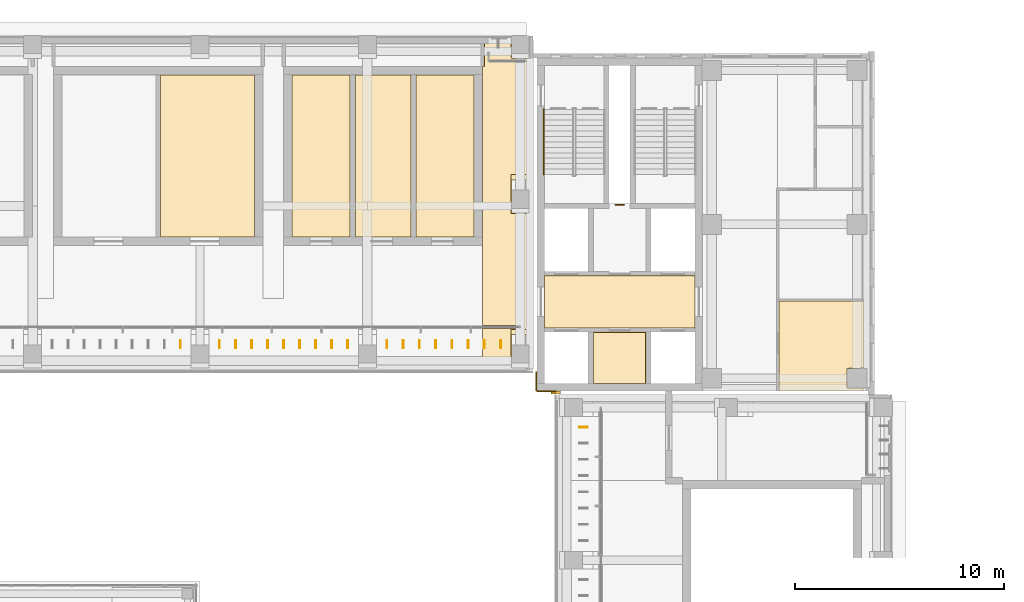
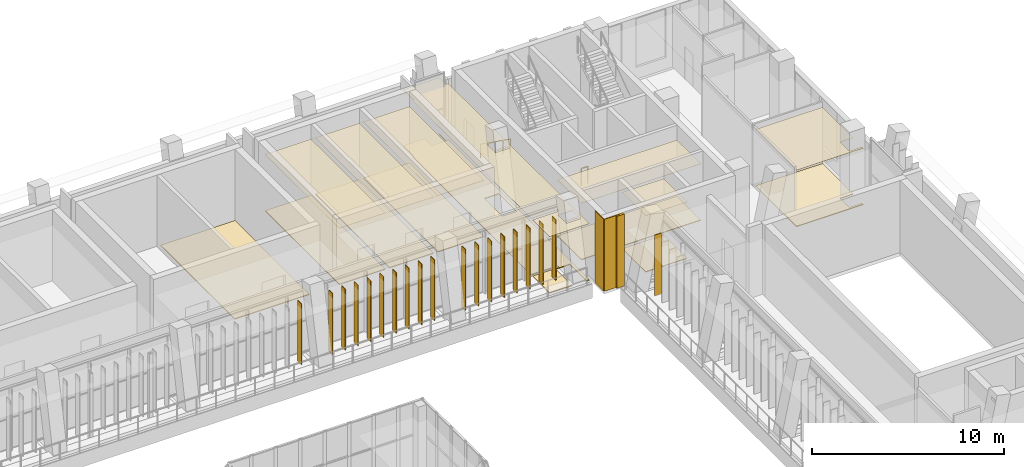
# One storey, part 91 of 92: 19 shading devices, 18 coverings, 2 railings.
"""IFC4 building model written with IfcOpenShell, lengths in metres."""

import ifcopenshell
import ifcopenshell.guid

model = None  # the IFC model being written
_history = None  # IfcOwnerHistory: only IFC2X3 demands one
_inside = {}  # id of a spatial element -> (the spatial element, [elements in it])
_under = {}  # id of a project, library or spatial element -> (it, [spatial elements below it])
_declared = {}  # id of a project -> (the project, [libraries it declares])
_typed = {}  # id of a type object -> (the type object, [elements of that type])
_made_of = {}  # id of a material, layer set ... -> (it, [elements and type objects made of it])


def new_model(schema):
    """Start an empty IFC model of exactly this schema.

    Asked for "IFC4X3", IfcOpenShell would pick the latest addendum, in which some entities
    have other attributes; the version numbers below select the first issue.
    IFC2X3 requires an IfcOwnerHistory on every rooted entity: one is made here for all.
    """
    global model, _history
    if schema == "IFC4X3":
        model = ifcopenshell.file(schema_version=(4, 3, 0, 0))
    else:
        model = ifcopenshell.file(schema=schema)
    _inside.clear()
    _under.clear()
    _declared.clear()
    _typed.clear()
    _made_of.clear()
    _history = None
    if model.schema == "IFC2X3":
        org = make("IfcOrganization", Name="unknown")
        user = make(
            "IfcPersonAndOrganization",
            ThePerson=make("IfcPerson", FamilyName="unknown"),
            TheOrganization=org,
        )
        app = make(
            "IfcApplication",
            ApplicationDeveloper=org,
            Version="unknown",
            ApplicationFullName="unknown",
            ApplicationIdentifier="unknown",
        )
        _history = make(
            "IfcOwnerHistory",
            OwningUser=user,
            OwningApplication=app,
            ChangeAction="ADDED",
            CreationDate=0,
        )
    return model


def make(cls, **values):
    """One entity of the class cls with the attributes given. An attribute that is None is left unset."""
    return model.create_entity(
        cls, **{name: value for name, value in values.items() if value is not None}
    )


def rooted(cls, **values):
    """An entity with a GlobalId (a new one), such as an element, a storey or a relation."""
    return make(cls, GlobalId=ifcopenshell.guid.new(), OwnerHistory=_history, **values)


def si_unit(unit_type, name, prefix=None):
    """IfcSIUnit, for example si_unit("LENGTHUNIT", "METRE", prefix="MILLI")."""
    return make("IfcSIUnit", UnitType=unit_type, Prefix=prefix, Name=name)


def assignment(units):
    """IfcUnitAssignment: the units of a project."""
    return None if units is None else make("IfcUnitAssignment", Units=units)


def point(xyz):
    """IfcCartesianPoint."""
    return None if xyz is None else make("IfcCartesianPoint", Coordinates=xyz)


def direction(xyz):
    """IfcDirection."""
    return None if xyz is None else make("IfcDirection", DirectionRatios=xyz)


def frame(location, z_axis=None, x_axis=None):
    """IfcAxis2Placement3D, a coordinate frame: its origin and axes. An axis left out is left unset."""
    return make(
        "IfcAxis2Placement3D",
        Location=point(location),
        Axis=direction(z_axis),
        RefDirection=direction(x_axis),
    )


def frame_2d(location, x_axis=None):
    """IfcAxis2Placement2D, a coordinate frame in the plane: its origin and x axis."""
    return make(
        "IfcAxis2Placement2D", Location=point(location), RefDirection=direction(x_axis)
    )


def origin():
    """The frame at (0, 0, 0) with its axes left unset."""
    return frame((0.0, 0.0, 0.0))


def origin_2d():
    """The frame at (0, 0) in the plane with its x axis left unset."""
    return frame_2d((0.0, 0.0))


def place(relative_to, where):
    """IfcLocalPlacement: puts the frame where relative to a parent placement (None: the world)."""
    return make(
        "IfcLocalPlacement", PlacementRelTo=relative_to, RelativePlacement=where
    )


def context(
    kind, dimensions, precision=None, world=None, true_north=None, identifier=None
):
    """IfcGeometricRepresentationContext, for example the 3D "Model" context."""
    return make(
        "IfcGeometricRepresentationContext",
        ContextIdentifier=identifier,
        ContextType=kind,
        CoordinateSpaceDimension=dimensions,
        Precision=precision,
        WorldCoordinateSystem=world,
        TrueNorth=true_north,
    )


def subcontext(parent, identifier, kind, view, scale=None):
    """IfcGeometricRepresentationSubContext, for example "Body" below "Model"."""
    return make(
        "IfcGeometricRepresentationSubContext",
        ContextIdentifier=identifier,
        ContextType=kind,
        ParentContext=parent,
        TargetScale=scale,
        TargetView=view,
    )


def project(units=None, contexts=None):
    """IfcProject with its units and contexts."""
    return rooted(
        "IfcProject",
        Name="project",
        RepresentationContexts=contexts,
        UnitsInContext=assignment(units),
    )


def spatial(cls, under=None, at=None, **own):
    """A site, building, storey or space (cls), placed at a placement, below another one or the project."""
    s = rooted(cls, ObjectPlacement=at, **own)
    if under is not None:
        _under.setdefault(under.id(), (under, []))[1].append(s)
    return s


def polyline(points):
    """IfcPolyline through the points."""
    return make("IfcPolyline", Points=[point(p) for p in points])


def profile(cls, at=None, kind="AREA", **sizes):
    """A parametric profile (cls). Its sizes go by their IFC names, for example OverallWidth=200.0."""
    return make(cls, ProfileType=kind, Position=at, **sizes)


def rectangle(**sizes):
    """IfcRectangleProfileDef."""
    return profile("IfcRectangleProfileDef", **sizes)


def circle(**sizes):
    """IfcCircleProfileDef."""
    return profile("IfcCircleProfileDef", **sizes)


def outline(outer, holes=None, kind="AREA"):
    """IfcArbitraryClosedProfileDef: a profile drawn as a closed curve; with holes, ...WithVoids."""
    if holes is None:
        return make("IfcArbitraryClosedProfileDef", ProfileType=kind, OuterCurve=outer)
    return make(
        "IfcArbitraryProfileDefWithVoids",
        ProfileType=kind,
        OuterCurve=outer,
        InnerCurves=holes,
    )


def extrude(swept, where, along, depth):
    """IfcExtrudedAreaSolid: the profile swept, set in the frame where, extruded along a direction by depth."""
    return make(
        "IfcExtrudedAreaSolid",
        SweptArea=swept,
        Position=where,
        ExtrudedDirection=direction(along),
        Depth=depth,
    )


def shape(context_of_items, identifier, shape_type, items):
    """IfcShapeRepresentation: the items that make up one representation, for example the "Body"."""
    return make(
        "IfcShapeRepresentation",
        ContextOfItems=context_of_items,
        RepresentationIdentifier=identifier,
        RepresentationType=shape_type,
        Items=items,
    )


def material(Name=None, Category=None):
    """IfcMaterial."""
    return make("IfcMaterial", Name=Name, Category=Category)


def layer(
    of_material, thickness, ventilated=None, Name=None, Category=None, Priority=None
):
    """IfcMaterialLayer: one layer of a wall or slab, of a material (None: an air gap)."""
    return make(
        "IfcMaterialLayer",
        Material=of_material,
        LayerThickness=thickness,
        IsVentilated=ventilated,
        Name=Name,
        Category=Category,
        Priority=Priority,
    )


def layer_set(layers, Name=None):
    """IfcMaterialLayerSet."""
    return make("IfcMaterialLayerSet", MaterialLayers=layers, LayerSetName=Name)


def made_of(thing, what):
    """Note that an element or type object is made of a material, layer set ...; save() writes the relation."""
    if what is not None:
        _made_of.setdefault(what.id(), (what, []))[1].append(thing)
    return thing


def type_object(cls, material=None, **own):
    """A type object (cls), such as IfcWallType, which elements share."""
    return made_of(rooted(cls, **own), material)


def element(
    cls,
    number,
    at=None,
    inside=None,
    cuts=None,
    type_object=None,
    material=None,
    context=None,
    identifier="Body",
    shape_type=None,
    held_by="IfcProductDefinitionShape",
    body=None,
    shapes=None,
    **own,
):
    """One element of the class cls, such as IfcWall. Its Tag is "e" and its number.

    at: its placement. inside: the storey or other place that contains it. cuts: it is an
    opening in that element (IfcRelVoidsElement). A single representation is given by context,
    identifier, shape_type and body (its items); several are given by shapes. held_by: the class
    of the entity that holds the representations. save() writes the other relations.
    """
    e = rooted(cls, Tag="e%d" % number, ObjectPlacement=at, **own)
    if body is not None:
        shapes = [shape(context, identifier, shape_type, body)]
    if shapes is not None:
        e.Representation = make(held_by, Representations=shapes)
    if inside is not None:
        _inside.setdefault(inside.id(), (inside, []))[1].append(e)
    if cuts is not None:
        rooted(
            "IfcRelVoidsElement", RelatingBuildingElement=cuts, RelatedOpeningElement=e
        )
    if type_object is not None:
        _typed.setdefault(type_object.id(), (type_object, []))[1].append(e)
    return made_of(e, material)


def aggregate(whole, parts):
    """IfcRelAggregates: a whole, such as a stair, and the parts it consists of."""
    return rooted("IfcRelAggregates", RelatingObject=whole, RelatedObjects=parts)


def save(model, path):
    """Write the relations noted so far, then the file.

    IfcRelAggregates (storeys below a building ...), IfcRelContainedInSpatialStructure (elements
    in a storey), IfcRelDefinesByType, IfcRelAssociatesMaterial and IfcRelDeclares: one each for
    every whole, place, type object, material and project.
    """
    for whole, parts in _under.values():
        aggregate(whole, parts)
    for where, things in _inside.values():
        rooted(
            "IfcRelContainedInSpatialStructure",
            RelatedElements=things,
            RelatingStructure=where,
        )
    for kind, things in _typed.values():
        rooted("IfcRelDefinesByType", RelatedObjects=things, RelatingType=kind)
    for what, things in _made_of.values():
        rooted("IfcRelAssociatesMaterial", RelatedObjects=things, RelatingMaterial=what)
    for by, libraries in _declared.values():
        rooted("IfcRelDeclares", RelatingContext=by, RelatedDefinitions=libraries)
    model.write(path)


model = new_model("IFC4")

# Units and contexts
model_context = context("Model", 3, precision=1e-05, world=origin(), true_north=direction((0.0, 1.0)))
body_context = subcontext(model_context, "Body", "Model", "MODEL_VIEW")
ifc_project = project(units=[si_unit("LENGTHUNIT", "METRE"), si_unit("AREAUNIT", "SQUARE_METRE"), si_unit("VOLUMEUNIT", "CUBIC_METRE"), si_unit("PLANEANGLEUNIT", "RADIAN"), si_unit("MASSUNIT", "GRAM", prefix="KILO")], contexts=[model_context])

# Site, building, storey
site_placement = place(None, origin())
site = spatial("IfcSite", under=ifc_project, at=site_placement, CompositionType="ELEMENT")
building_placement = place(site_placement, origin())
building = spatial("IfcBuilding", under=site, at=building_placement, Name="Lantern Court Media Centre", CompositionType="ELEMENT")
storey_placement = place(building_placement, frame((0.0, 0.0, 4.800048828125)))
storey = spatial("IfcBuildingStorey", under=building, at=storey_placement, Name="L01", CompositionType="ELEMENT", Elevation=4.800048828125)

# Coverings
ifc_material_1 = material(Name="Carpet")
ifc_layer_1 = layer(ifc_material_1, 0.050048828125)
ifc_layer_set_1 = layer_set([ifc_layer_1], Name="Carpet")
covering_type_1 = type_object("IfcCoveringType", Name="Carpet floor finish", PredefinedType="FLOORING", material=ifc_layer_set_1)
covering_1_placement = place(storey_placement, origin())
element("IfcCovering", 1, at=covering_1_placement, inside=storey, type_object=covering_type_1, Name="Render Room 02 floor finish", PredefinedType="FLOORING", context=body_context, shape_type="SweptSolid", body=[
    extrude(outline(polyline([(62.114990234375, 111.195068359375), (66.594970703125, 111.195068359375), (66.594970703125, 103.455078125), (62.114990234375, 103.455078125), (62.114990234375, 111.195068359375)])), origin(), (0.0, 0.0, 1.0), 0.050048828125),
])
covering_2_placement = place(storey_placement, origin())
element("IfcCovering", 2, at=covering_2_placement, inside=storey, type_object=covering_type_1, Name="Editing Suite 05 floor finish", PredefinedType="FLOORING", context=body_context, shape_type="SweptSolid", body=[
    extrude(outline(polyline([(68.405029296875, 103.455078125), (68.405029296875, 111.195068359375), (71.169921875, 111.195068359375), (71.169921875, 103.455078125), (68.405029296875, 103.455078125)])), origin(), (0.0, 0.0, 1.0), 0.050048828125),
])
covering_3_placement = place(storey_placement, origin())
element("IfcCovering", 3, at=covering_3_placement, inside=storey, type_object=covering_type_1, Name="Editing Suite 06 floor finish", PredefinedType="FLOORING", context=body_context, shape_type="SweptSolid", body=[
    extrude(outline(polyline([(71.429931640625, 111.195068359375), (74.070068359375, 111.195068359375), (74.070068359375, 103.455078125), (71.429931640625, 103.455078125), (71.429931640625, 111.195068359375)])), origin(), (0.0, 0.0, 1.0), 0.050048828125),
])
covering_4_placement = place(storey_placement, origin())
element("IfcCovering", 4, at=covering_4_placement, inside=storey, type_object=covering_type_1, Name="Editing Suite 07 floor finish", PredefinedType="FLOORING", context=body_context, shape_type="SweptSolid", body=[
    extrude(outline(polyline([(74.330078125, 111.195068359375), (77.094970703125, 111.195068359375), (77.094970703125, 103.455078125), (74.330078125, 103.455078125), (74.330078125, 111.195068359375)])), origin(), (0.0, 0.0, 1.0), 0.050048828125),
])
covering_5_placement = place(storey_placement, origin())
element("IfcCovering", 5, at=covering_5_placement, inside=storey, type_object=covering_type_1, Name="Sound Library floor finish", PredefinedType="FLOORING", context=body_context, shape_type="SweptSolid", body=[
    extrude(outline(polyline([(95.699951171875, 96.10009765625), (91.66748046875, 96.10009765625), (91.66748046875, 100.3779296875), (95.699951171875, 100.3779296875), (95.699951171875, 97.179931640625), (94.919921875, 97.175048828125), (94.9208984375, 96.22216796875), (95.699951171875, 96.219970703125), (95.699951171875, 96.10009765625)])), origin(), (0.0, 0.0, 1.0), 0.050048828125),
])
ifc_material_2 = material(Name="Ceramic tile")
ifc_layer_2 = layer(ifc_material_2, 0.050048828125)
ifc_layer_set_2 = layer_set([ifc_layer_2], Name="Ceramic tile")
covering_type_2 = type_object("IfcCoveringType", Name="Ceramic tile floor finish", PredefinedType="FLOORING", material=ifc_layer_set_2)
covering_6_placement = place(storey_placement, origin())
element("IfcCovering", 6, at=covering_6_placement, inside=storey, type_object=covering_type_2, Name="Accessible WC floor finish", PredefinedType="FLOORING", context=body_context, shape_type="SweptSolid", body=[
    extrude(outline(polyline([(85.294921875, 98.89501953125), (85.294921875, 96.455078125), (82.804931640625, 96.455078125), (82.804931640625, 98.89501953125), (85.294921875, 98.89501953125)])), origin(), (0.0, 0.0, 1.0), 0.050048828125),
])

# Railing
ifc_material_3 = material(Name="Powder-coated steel", Category="steel")
railing_type_1 = type_object("IfcRailingType", Name="Floor edge guard 1100", PredefinedType="GUARDRAIL", material=ifc_material_3)
railing_1_placement = place(storey_placement, frame((83.85009765625, 104.989990234375, 0.0)))
element("IfcRailing", 7, at=railing_1_placement, inside=storey, type_object=railing_type_1, Name="L01 opening guard 61", PredefinedType="GUARDRAIL", context=body_context, shape_type="SweptSolid", body=[
    extrude(circle(Radius=0.02392578125, at=origin_2d()), frame((0.0, 0.0, 1.076171875), z_axis=(1.0, 0.0, 0.0), x_axis=(0.0, 1.0, 0.0)), (0.0, 0.0, 1.0), 0.39990234375),
    extrude(circle(Radius=0.02099609375, at=origin_2d()), origin(), (0.0, 0.0, 1.0), 1.052001953125),
    extrude(circle(Radius=0.02099609375, at=origin_2d()), frame((0.39990234375, 0.0, 0.0)), (0.0, 0.0, 1.0), 1.052001953125),
])

# Coverings
ifc_material_4 = material(Name="Honed limestone cladding", Category="masonry")
ifc_layer_3 = layer(ifc_material_4, 0.050048828125)
ifc_layer_set_3 = layer_set([ifc_layer_3], Name="Honed limestone cladding")
covering_type_3 = type_object("IfcCoveringType", Name="Limestone cladding panel 50", PredefinedType="CLADDING", material=ifc_layer_set_3)
for number, where, z_axis, x_axis, name in (
    (8, (80.074951171875, 96.10009765625, 0.0), (0.0, 0.0, 1.0), (0.0, 1.0, 0.0), "Limestone joint cladding N-NE L01"),
    (9, (80.10009765625, 96.074951171875, 0.0), (0.0, 0.0, 1.0), (1.0, 0.0, 0.0), "Limestone joint cladding E-NE L01"),
):
    element("IfcCovering", number, at=place(storey_placement, frame(where, z_axis=z_axis, x_axis=x_axis)), inside=storey, type_object=covering_type_3, Name=name, PredefinedType="CLADDING", context=body_context, shape_type="SweptSolid", body=[
        extrude(rectangle(XDim=0.89990234375, YDim=0.050048828125, at=frame_2d((0.449951171875, 0.0))), origin(), (0.0, 0.0, 1.0), 4.579833984375),
    ])
ifc_layer_4 = layer(ifc_material_4, 0.14990234375)
ifc_layer_set_4 = layer_set([ifc_layer_4], Name="Honed limestone cladding")
covering_type_4 = type_object("IfcCoveringType", Name="Limestone pilaster cladding 150", PredefinedType="CLADDING", material=ifc_layer_set_4)
covering_7_placement = place(storey_placement, frame((80.77490234375, 96.02490234375, 0.0), z_axis=(0.0, 0.0, 1.0), x_axis=(1.0, 0.0, 0.0)))
element("IfcCovering", 10, at=covering_7_placement, inside=storey, type_object=covering_type_4, Name="Limestone pilaster rib", PredefinedType="CLADDING", context=body_context, shape_type="SweptSolid", body=[
    extrude(rectangle(XDim=0.4501953125, YDim=0.14990234375, at=frame_2d((0.22509765625, 0.0))), origin(), (0.0, 0.0, 1.0), 4.579833984375),
])

# Railing
railing_type_2 = type_object("IfcRailingType", Name="Stair handrail 900", PredefinedType="HANDRAIL", material=ifc_material_3)
railing_2_placement = place(storey_placement, frame((80.426025390625, 109.550048828125, 0.1845703125)))
element("IfcRailing", 11, at=railing_2_placement, inside=storey, type_object=railing_type_2, Name="L01 ST-NEB stair handrail 1", PredefinedType="HANDRAIL", context=body_context, shape_type="SweptSolid", body=[
    extrude(circle(Radius=0.02392578125, at=origin_2d()), frame((0.0, 0.0, 0.8759765625), z_axis=(0.0, -0.815376961211, 0.578930402662), x_axis=(1.0, 0.0, 0.0)), (0.0, 0.0, 1.0), 3.82666015625),
    extrude(circle(Radius=0.02099609375, at=origin_2d()), origin(), (0.0, 0.0, 1.0), 0.851806640625),
    extrude(circle(Radius=0.02099609375, at=origin_2d()), frame((0.0, -0.780029296875, 0.5537109375)), (0.0, 0.0, 1.0), 0.851806640625),
    extrude(circle(Radius=0.02099609375, at=origin_2d()), frame((0.0, -1.56005859375, 1.107666015625)), (0.0, 0.0, 1.0), 0.851806640625),
    extrude(circle(Radius=0.02099609375, at=origin_2d()), frame((0.0, -2.340087890625, 1.66162109375)), (0.0, 0.0, 1.0), 0.851806640625),
    extrude(circle(Radius=0.02099609375, at=origin_2d()), frame((0.0, -3.1201171875, 2.21533203125)), (0.0, 0.0, 1.0), 0.851806640625),
])

# Coverings
ifc_material_5 = material(Name="Mineral fibre ceiling tile")
ifc_layer_5 = layer(ifc_material_5, 0.02001953125)
ifc_layer_set_5 = layer_set([ifc_layer_5], Name="Mineral fibre ceiling tile")
covering_type_5 = type_object("IfcCoveringType", Name="Suspended ceiling tile", PredefinedType="CEILING", material=ifc_layer_set_5)
covering_8_placement = place(storey_placement, frame((0.0, 0.0, 3.599853515625)))
element("IfcCovering", 12, at=covering_8_placement, inside=storey, type_object=covering_type_5, Name="End Lobby ceiling", PredefinedType="CEILING", context=body_context, shape_type="SweptSolid", body=[
    extrude(outline(polyline([(79.89990234375, 97.300048828125), (77.5, 97.300048828125), (77.5, 99.074462890625), (79.1005859375, 99.074951171875), (79.10009765625, 99.2255859375), (77.5, 99.2255859375), (77.5, 111.6044921875), (77.58056640625, 111.60498046875), (77.58056640625, 112.695068359375), (77.5, 112.699462890625), (79.759521484375, 112.699951171875), (79.759521484375, 112.0), (79.89990234375, 111.99951171875), (79.89990234375, 97.300048828125)]), holes=[polyline([(79.72509765625, 97.926513671875), (79.72509765625, 98.025390625), (78.87451171875, 98.025146484375), (78.875, 97.926513671875), (79.72509765625, 97.926513671875)]), polyline([(79.72509765625, 98.174560546875), (79.725341796875, 98.777587890625), (78.87451171875, 98.77734375), (78.874755859375, 98.174560546875), (79.72509765625, 98.174560546875)]), polyline([(79.72509765625, 105.32666015625), (79.72509765625, 105.425537109375), (78.87451171875, 105.425048828125), (78.875, 105.32666015625), (79.72509765625, 105.32666015625)]), polyline([(79.72509765625, 105.574462890625), (79.725341796875, 106.177490234375), (78.87451171875, 106.17724609375), (78.874755859375, 105.574462890625), (79.72509765625, 105.574462890625)])]), origin(), (0.0, 0.0, 1.0), 0.02001953125),
])
covering_9_placement = place(storey_placement, frame((0.0, 0.0, 3.599853515625)))
element("IfcCovering", 13, at=covering_9_placement, inside=storey, type_object=covering_type_5, Name="Editing Suite 05 ceiling", PredefinedType="CEILING", context=body_context, shape_type="SweptSolid", body=[
    extrude(outline(polyline([(71.300048828125, 103.450439453125), (68.400390625, 103.450439453125), (68.400390625, 111.199462890625), (71.300048828125, 111.199462890625), (71.174560546875, 111.195068359375), (71.174560546875, 103.455078125), (71.300048828125, 103.450439453125)])), origin(), (0.0, 0.0, 1.0), 0.02001953125),
])
covering_10_placement = place(storey_placement, frame((0.0, 0.0, 3.599853515625)))
element("IfcCovering", 14, at=covering_10_placement, inside=storey, type_object=covering_type_5, Name="Editing Suite 06 ceiling", PredefinedType="CEILING", context=body_context, shape_type="SweptSolid", body=[
    extrude(outline(polyline([(74.199951171875, 103.450439453125), (71.300048828125, 103.450439453125), (71.425537109375, 103.455078125), (71.425537109375, 111.195068359375), (71.300048828125, 111.199462890625), (74.199951171875, 111.199462890625), (74.074462890625, 111.195068359375), (74.074462890625, 103.455078125), (74.199951171875, 103.450439453125)])), origin(), (0.0, 0.0, 1.0), 0.02001953125),
])
covering_11_placement = place(storey_placement, frame((0.0, 0.0, 3.599853515625)))
element("IfcCovering", 15, at=covering_11_placement, inside=storey, type_object=covering_type_5, Name="Editing Suite 07 ceiling", PredefinedType="CEILING", context=body_context, shape_type="SweptSolid", body=[
    extrude(outline(polyline([(74.199951171875, 111.199462890625), (77.099609375, 111.199462890625), (77.099609375, 103.450439453125), (74.199951171875, 103.450439453125), (74.325439453125, 103.455078125), (74.325439453125, 111.195068359375), (74.199951171875, 111.199462890625)])), origin(), (0.0, 0.0, 1.0), 0.02001953125),
])
covering_12_placement = place(storey_placement, frame((0.0, 0.0, 3.599853515625)))
element("IfcCovering", 16, at=covering_12_placement, inside=storey, type_object=covering_type_5, Name="Lift Lobby ceiling", PredefinedType="CEILING", context=body_context, shape_type="SweptSolid", body=[
    extrude(outline(polyline([(80.450439453125, 99.1005859375), (80.450439453125, 101.599609375), (87.6494140625, 101.599609375), (87.6494140625, 99.1005859375), (80.450439453125, 99.1005859375)])), origin(), (0.0, 0.0, 1.0), 0.02001953125),
])
covering_13_placement = place(storey_placement, frame((0.0, 0.0, 3.599853515625)))
element("IfcCovering", 17, at=covering_13_placement, inside=storey, type_object=covering_type_5, Name="Accessible WC ceiling", PredefinedType="CEILING", context=body_context, shape_type="SweptSolid", body=[
    extrude(outline(polyline([(82.800537109375, 96.450439453125), (82.800537109375, 98.8994140625), (85.299560546875, 98.8994140625), (85.299560546875, 96.450439453125), (82.800537109375, 96.450439453125)])), origin(), (0.0, 0.0, 1.0), 0.02001953125),
])
covering_14_placement = place(storey_placement, frame((0.0, 0.0, 3.599853515625)))
element("IfcCovering", 18, at=covering_14_placement, inside=storey, type_object=covering_type_5, Name="Sound Library ceiling", PredefinedType="CEILING", context=body_context, shape_type="SweptSolid", body=[
    extrude(outline(polyline([(95.699951171875, 96.10009765625), (91.6630859375, 96.10009765625), (91.6630859375, 100.382568359375), (95.699951171875, 100.382568359375), (95.699951171875, 97.175537109375), (94.924560546875, 97.175048828125), (94.924560546875, 96.224609375), (95.699951171875, 96.224609375), (95.699951171875, 96.10009765625)])), origin(), (0.0, 0.0, 1.0), 0.02001953125),
])
ifc_material_6 = material(Name="Terrazzo")
ifc_layer_6 = layer(ifc_material_6, 0.050048828125)
ifc_layer_set_6 = layer_set([ifc_layer_6], Name="Terrazzo")
covering_type_6 = type_object("IfcCoveringType", Name="Terrazzo floor finish", PredefinedType="FLOORING", material=ifc_layer_set_6)
covering_15_placement = place(storey_placement, origin())
element("IfcCovering", 19, at=covering_15_placement, inside=storey, type_object=covering_type_6, Name="End Lobby floor finish", PredefinedType="FLOORING", context=body_context, shape_type="SweptSolid", body=[
    extrude(outline(polyline([(79.89990234375, 97.300048828125), (79.72998046875, 97.300048828125), (79.72509765625, 99.030029296875), (78.87060546875, 99.02734375), (78.8701171875, 97.300048828125), (77.5, 97.300048828125), (77.5, 99.070068359375), (79.10498046875, 99.074951171875), (79.1005859375, 99.22998046875), (77.5, 99.22998046875), (77.5048828125, 111.60009765625), (77.5849609375, 111.6044921875), (77.5849609375, 112.695068359375), (78.8701171875, 112.699951171875), (78.871826171875, 111.97119140625), (79.72509765625, 111.969970703125), (79.72998046875, 112.699951171875), (79.7548828125, 112.699951171875), (79.755126953125, 111.9990234375), (79.89990234375, 111.9951171875), (79.89990234375, 97.300048828125)]), holes=[polyline([(78.8701171875, 104.574951171875), (79.729736328125, 104.572998046875), (79.726806640625, 106.4296875), (78.870361328125, 106.427001953125), (78.8701171875, 104.574951171875)])]), origin(), (0.0, 0.0, 1.0), 0.050048828125),
])
covering_16_placement = place(storey_placement, origin())
element("IfcCovering", 20, at=covering_16_placement, inside=storey, type_object=covering_type_6, Name="Lift Lobby floor finish", PredefinedType="FLOORING", context=body_context, shape_type="SweptSolid", body=[
    extrude(outline(polyline([(80.455078125, 99.10498046875), (80.455078125, 101.594970703125), (87.64501953125, 101.594970703125), (87.64501953125, 99.10498046875), (80.455078125, 99.10498046875)])), origin(), (0.0, 0.0, 1.0), 0.050048828125),
])

# Shading devices
ifc_material_7 = material(Name="Bronze anodised aluminium louvre", Category="aluminium")
ifc_layer_7 = layer(ifc_material_7, 0.0400390625)
ifc_layer_set_7 = layer_set([ifc_layer_7], Name="Bronze anodised aluminium louvre")
shading_device_type = type_object("IfcShadingDeviceType", Name="Vertical louvre 40x400 under beam", PredefinedType="USERDEFINED", material=ifc_layer_set_7)
for number, where, z_axis, x_axis, name in (
    (21, (63.066650390625, 98.320068359375, 0.0), (0.0, 0.0, 1.0), (1.0, 0.0, 0.0), "Vertical louvre N inner L01"),
    (22, (64.933349609375, 98.320068359375, 0.0), (0.0, 0.0, 1.0), (1.0, 0.0, 0.0), "Vertical louvre N inner L01"),
    (23, (65.699951171875, 98.320068359375, 0.0), (0.0, 0.0, 1.0), (1.0, 0.0, 0.0), "Vertical louvre N inner L01"),
    (24, (66.466552734375, 98.320068359375, 0.0), (0.0, 0.0, 1.0), (1.0, 0.0, 0.0), "Vertical louvre N inner L01"),
    (25, (67.2333984375, 98.320068359375, 0.0), (0.0, 0.0, 1.0), (1.0, 0.0, 0.0), "Vertical louvre N inner L01"),
    (26, (68.0, 98.320068359375, 0.0), (0.0, 0.0, 1.0), (1.0, 0.0, 0.0), "Vertical louvre N inner L01"),
    (27, (68.7666015625, 98.320068359375, 0.0), (0.0, 0.0, 1.0), (1.0, 0.0, 0.0), "Vertical louvre N inner L01"),
    (28, (69.533447265625, 98.320068359375, 0.0), (0.0, 0.0, 1.0), (1.0, 0.0, 0.0), "Vertical louvre N inner L01"),
    (29, (70.300048828125, 98.320068359375, 0.0), (0.0, 0.0, 1.0), (1.0, 0.0, 0.0), "Vertical louvre N inner L01"),
    (30, (71.066650390625, 98.320068359375, 0.0), (0.0, 0.0, 1.0), (1.0, 0.0, 0.0), "Vertical louvre N inner L01"),
    (31, (72.9375, 98.320068359375, 0.0), (0.0, 0.0, 1.0), (1.0, 0.0, 0.0), "Vertical louvre N inner L01"),
    (32, (73.71240234375, 98.320068359375, 0.0), (0.0, 0.0, 1.0), (1.0, 0.0, 0.0), "Vertical louvre N inner L01"),
    (33, (74.487548828125, 98.320068359375, 0.0), (0.0, 0.0, 1.0), (1.0, 0.0, 0.0), "Vertical louvre N inner L01"),
    (34, (75.262451171875, 98.320068359375, 0.0), (0.0, 0.0, 1.0), (1.0, 0.0, 0.0), "Vertical louvre N inner L01"),
    (35, (76.03759765625, 98.320068359375, 0.0), (0.0, 0.0, 1.0), (1.0, 0.0, 0.0), "Vertical louvre N inner L01"),
    (36, (76.8125, 98.320068359375, 0.0), (0.0, 0.0, 1.0), (1.0, 0.0, 0.0), "Vertical louvre N inner L01"),
    (37, (77.58740234375, 98.320068359375, 0.0), (0.0, 0.0, 1.0), (1.0, 0.0, 0.0), "Vertical louvre N inner L01"),
    (38, (78.362548828125, 98.320068359375, 0.0), (0.0, 0.0, 1.0), (1.0, 0.0, 0.0), "Vertical louvre N inner L01"),
):
    element("IfcShadingDevice", number, at=place(storey_placement, frame(where, z_axis=z_axis, x_axis=x_axis)), inside=storey, type_object=shading_device_type, Name=name, ObjectType="VERTICAL LOUVRE", PredefinedType="USERDEFINED", context=body_context, shape_type="SweptSolid", body=[
        extrude(rectangle(XDim=0.0400390625, YDim=0.39990234375, at=origin_2d()), origin(), (0.0, 0.0, 1.0), 3.89990234375),
    ])
shading_device_placement = place(storey_placement, frame((82.320068359375, 94.362548828125, 0.0), z_axis=(0.0, 0.0, 1.0), x_axis=(1.0, 0.0, 0.0)))
element("IfcShadingDevice", 39, at=shading_device_placement, inside=storey, type_object=shading_device_type, Name="Vertical louvre E inner L01", ObjectType="VERTICAL LOUVRE", PredefinedType="USERDEFINED", context=body_context, shape_type="SweptSolid", body=[
    extrude(rectangle(XDim=0.39990234375, YDim=0.0400390625, at=origin_2d()), origin(), (0.0, 0.0, 1.0), 3.89990234375),
])

save(model, "model.ifc")
